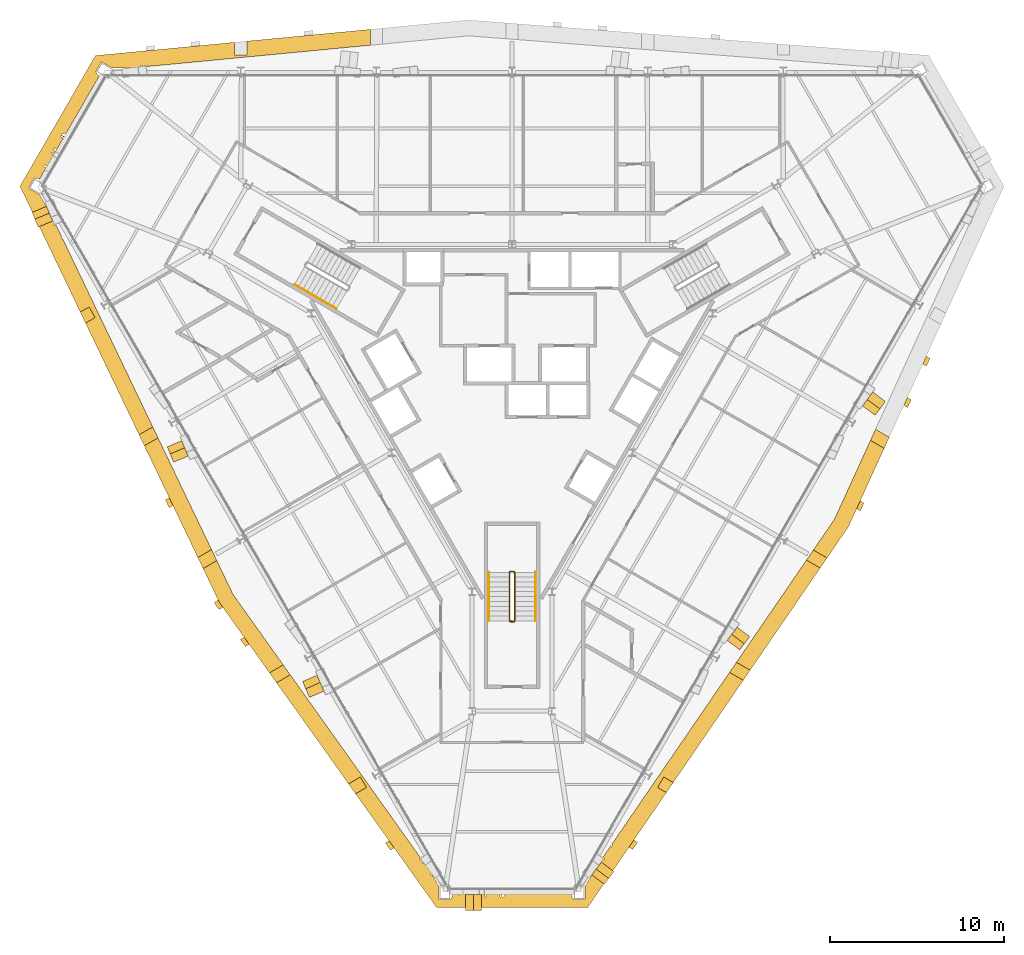
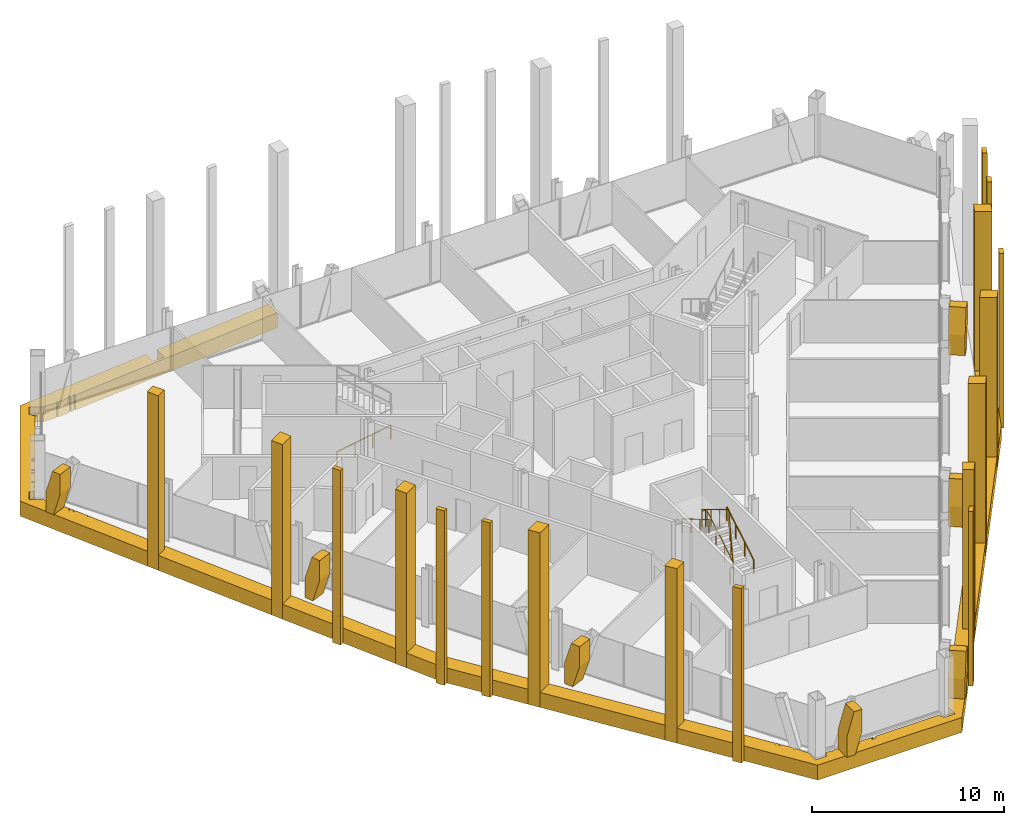
# One storey, part 16 of 17: 30 coverings, 4 railings.
"""IFC4 building model written with IfcOpenShell, lengths in metres."""

from ifc_helpers import new_model, si_unit, direction, frame, origin, origin_2d, place, context, subcontext, project, spatial, polyline, circle, outline, extrude, material, layer, layer_set, type_object, element, save


model = new_model("IFC4")

# Units and contexts
model_context = context("Model", 3, precision=1e-05, world=origin(), true_north=direction((0.0, 1.0)))
body_context = subcontext(model_context, "Body", "Model", "MODEL_VIEW")
ifc_project = project(units=[si_unit("LENGTHUNIT", "METRE"), si_unit("AREAUNIT", "SQUARE_METRE"), si_unit("VOLUMEUNIT", "CUBIC_METRE"), si_unit("PLANEANGLEUNIT", "RADIAN"), si_unit("MASSUNIT", "GRAM", prefix="KILO")], contexts=[model_context])

# Site, building, storey
site_placement = place(None, origin())
site = spatial("IfcSite", under=ifc_project, at=site_placement, CompositionType="ELEMENT")
building_placement = place(site_placement, origin())
building = spatial("IfcBuilding", under=site, at=building_placement, Name="Verrane Prism Tower", CompositionType="ELEMENT")
storey_placement = place(building_placement, frame((0.0, 0.0, 178.39990234375)))
storey = spatial("IfcBuildingStorey", under=building, at=storey_placement, Name="L44", CompositionType="ELEMENT", Elevation=178.39990234375)

# Railings
ifc_material_1 = material(Name="Steel A36 rail and posts, no infill", Category="steel")
railing_type_1 = type_object("IfcRailingType", Name="Stair guard 1100 steel rail and posts", PredefinedType="GUARDRAIL", material=ifc_material_1)
railing_1_placement = place(storey_placement, frame((0.14990234375, -13.699951171875, 0.168212890625)))
element("IfcRailing", 1, at=railing_1_placement, inside=storey, type_object=railing_type_1, Name="Stair 3 guard", PredefinedType="GUARDRAIL", context=body_context, shape_type="SweptSolid", body=[
    extrude(circle(Radius=0.02392578125, at=origin_2d()), frame((0.0, 0.0, 1.076171875), z_axis=(0.0, 0.857242210791, 0.514913383045), x_axis=(-1.0, 0.0, 0.0)), (0.0, 0.0, 1.0), 3.266357421875),
    extrude(circle(Radius=0.02392578125, at=origin_2d()), frame((0.0, 2.800048828125, 2.7578125), z_axis=(-0.707106781187, 0.707106781187, 0.0), x_axis=(-0.707106781187, -0.707106781187, 0.0)), (0.0, 0.0, 1.0), 0.0703125),
    extrude(circle(Radius=0.02392578125, at=origin_2d()), frame((-0.0498046875, 2.849853515625, 2.7578125), z_axis=(-1.0, 0.0, 0.0), x_axis=(0.0, -1.0, 0.0)), (0.0, 0.0, 1.0), 0.2001953125),
    extrude(circle(Radius=0.02392578125, at=origin_2d()), frame((-0.25, 2.849853515625, 2.7578125), z_axis=(-0.273106073848, -0.273106073848, 0.922402376869), x_axis=(0.707106781187, -0.707106781187, 0.0)), (0.0, 0.0, 1.0), 0.182373046875),
    extrude(circle(Radius=0.02392578125, at=origin_2d()), frame((-0.2998046875, 2.800048828125, 2.92626953125), z_axis=(0.0, -0.857242210791, 0.514913383045), x_axis=(1.0, 0.0, 0.0)), (0.0, 0.0, 1.0), 3.266357421875),
    extrude(circle(Radius=0.02392578125, at=origin_2d()), frame((-0.2998046875, 0.0, 4.60791015625), z_axis=(0.067404178178, -0.013494000514, -0.997634496554), x_axis=(0.196300278283, 0.98054382908, 0.0)), (0.0, 0.0, 1.0), 3.708984375),
    extrude(circle(Radius=0.02392578125, at=origin_2d()), frame((-0.0498046875, -0.050048828125, 0.90771484375), z_axis=(-1.0, 0.0, 0.0), x_axis=(0.0, -1.0, 0.0)), (0.0, 0.0, 1.0), 0.2001953125),
    extrude(circle(Radius=0.02099609375, at=origin_2d()), origin(), (0.0, 0.0, 1.0), 1.052001953125),
    extrude(circle(Radius=0.02099609375, at=origin_2d()), frame((0.0, 0.933349609375, 0.560546875)), (0.0, 0.0, 1.0), 1.052001953125),
    extrude(circle(Radius=0.02099609375, at=origin_2d()), frame((0.0, 1.86669921875, 1.121337890625)), (0.0, 0.0, 1.0), 1.052001953125),
    extrude(circle(Radius=0.02099609375, at=origin_2d()), frame((0.0, 2.800048828125, 1.681884765625)), (0.0, 0.0, 1.0), 1.052001953125),
    extrude(circle(Radius=0.02099609375, at=origin_2d()), frame((-0.0498046875, 2.849853515625, 1.681884765625)), (0.0, 0.0, 1.0), 1.052001953125),
    extrude(circle(Radius=0.02099609375, at=origin_2d()), frame((-0.25, 2.849853515625, 1.681884765625)), (0.0, 0.0, 1.0), 1.052001953125),
    extrude(circle(Radius=0.02099609375, at=origin_2d()), frame((-0.2998046875, 2.800048828125, 1.85009765625)), (0.0, 0.0, 1.0), 1.052001953125),
    extrude(circle(Radius=0.02099609375, at=origin_2d()), frame((-0.2998046875, 1.86669921875, 2.41064453125)), (0.0, 0.0, 1.0), 1.052001953125),
    extrude(circle(Radius=0.02099609375, at=origin_2d()), frame((-0.2998046875, 0.933349609375, 2.971435546875)), (0.0, 0.0, 1.0), 1.052001953125),
    extrude(circle(Radius=0.02099609375, at=origin_2d()), frame((-0.2998046875, 0.0, 3.531982421875)), (0.0, 0.0, 1.0), 1.052001953125),
    extrude(circle(Radius=0.02099609375, at=origin_2d()), frame((-0.2373046875, -0.012451171875, 2.60693359375)), (0.0, 0.0, 1.0), 1.052001953125),
    extrude(circle(Radius=0.02099609375, at=origin_2d()), frame((-0.1748046875, -0.02490234375, 1.681884765625)), (0.0, 0.0, 1.0), 1.052001953125),
    extrude(circle(Radius=0.02099609375, at=origin_2d()), frame((-0.1123046875, -0.03759765625, 0.7568359375)), (0.0, 0.0, 1.0), 1.052001953125),
    extrude(circle(Radius=0.02099609375, at=origin_2d()), frame((-0.0498046875, -0.050048828125, -0.168212890625)), (0.0, 0.0, 1.0), 1.052001953125),
    extrude(circle(Radius=0.02099609375, at=origin_2d()), frame((-0.25, -0.050048828125, -0.168212890625)), (0.0, 0.0, 1.0), 1.052001953125),
])
ifc_material_2 = material(Name="Steel A36 tube", Category="steel")
railing_type_2 = type_object("IfcRailingType", Name="Stair handrail 900 steel tube", PredefinedType="HANDRAIL", material=ifc_material_2)
railing_2_placement = place(storey_placement, frame((-12.53955078125, 5.680908203125, 0.168212890625)))
element("IfcRailing", 2, at=railing_2_placement, inside=storey, type_object=railing_type_2, Name="Stair 2 handrail", PredefinedType="HANDRAIL", context=body_context, shape_type="SweptSolid", body=[
    extrude(circle(Radius=0.02392578125, at=origin_2d()), frame((0.0, 0.0, 0.8759765625), z_axis=(0.742366697286, -0.42866220388, 0.514917859203), x_axis=(0.500049511043, 0.865996816683, 0.0)), (0.0, 0.0, 1.0), 3.266357421875),
    extrude(circle(Radius=0.02099609375, at=origin_2d()), origin(), (0.0, 0.0, 1.0), 0.851806640625),
    extrude(circle(Radius=0.02099609375, at=origin_2d()), frame((0.808349609375, -0.466796875, 0.560546875)), (0.0, 0.0, 1.0), 0.851806640625),
    extrude(circle(Radius=0.02099609375, at=origin_2d()), frame((1.616455078125, -0.933349609375, 1.121337890625)), (0.0, 0.0, 1.0), 0.851806640625),
    extrude(circle(Radius=0.02099609375, at=origin_2d()), frame((2.4248046875, -1.400146484375, 1.681884765625)), (0.0, 0.0, 1.0), 0.851806640625),
])
railing_3_placement = place(storey_placement, frame((1.35009765625, -13.699951171875, 0.168212890625)))
element("IfcRailing", 3, at=railing_3_placement, inside=storey, type_object=railing_type_2, Name="Stair 3 handrail", PredefinedType="HANDRAIL", context=body_context, shape_type="SweptSolid", body=[
    extrude(circle(Radius=0.02392578125, at=origin_2d()), frame((0.0, 0.0, 0.8759765625), z_axis=(0.0, 0.857242210791, 0.514913383045), x_axis=(-1.0, 0.0, 0.0)), (0.0, 0.0, 1.0), 3.266357421875),
    extrude(circle(Radius=0.02099609375, at=origin_2d()), origin(), (0.0, 0.0, 1.0), 0.851806640625),
    extrude(circle(Radius=0.02099609375, at=origin_2d()), frame((0.0, 0.933349609375, 0.560546875)), (0.0, 0.0, 1.0), 0.851806640625),
    extrude(circle(Radius=0.02099609375, at=origin_2d()), frame((0.0, 1.86669921875, 1.121337890625)), (0.0, 0.0, 1.0), 0.851806640625),
    extrude(circle(Radius=0.02099609375, at=origin_2d()), frame((0.0, 2.800048828125, 1.681884765625)), (0.0, 0.0, 1.0), 0.851806640625),
])
railing_4_placement = place(storey_placement, frame((-1.35009765625, -10.89990234375, 2.018310546875)))
element("IfcRailing", 4, at=railing_4_placement, inside=storey, type_object=railing_type_2, Name="Stair 3 handrail", PredefinedType="HANDRAIL", context=body_context, shape_type="SweptSolid", body=[
    extrude(circle(Radius=0.02392578125, at=origin_2d()), frame((0.0, 0.0, 0.8759765625), z_axis=(0.0, -0.857242210791, 0.514913383045), x_axis=(1.0, 0.0, 0.0)), (0.0, 0.0, 1.0), 3.266357421875),
    extrude(circle(Radius=0.02099609375, at=origin_2d()), origin(), (0.0, 0.0, 1.0), 0.851806640625),
    extrude(circle(Radius=0.02099609375, at=origin_2d()), frame((0.0, -0.933349609375, 0.560546875)), (0.0, 0.0, 1.0), 0.851806640625),
    extrude(circle(Radius=0.02099609375, at=origin_2d()), frame((0.0, -1.86669921875, 1.121337890625)), (0.0, 0.0, 1.0), 0.851806640625),
    extrude(circle(Radius=0.02099609375, at=origin_2d()), frame((0.0, -2.800048828125, 1.681884765625)), (0.0, 0.0, 1.0), 0.851806640625),
])

# Coverings
ifc_material_3 = material(Name="Warm limestone cladding", Category="masonry")
ifc_layer_1 = layer(ifc_material_3, 0.89990234375)
ifc_layer_set_1 = layer_set([ifc_layer_1], Name="Stone brace fin 900")
covering_type_1 = type_object("IfcCoveringType", Name="Stone brace fin 900", PredefinedType="CLADDING", material=ifc_layer_set_1)
covering_1_placement = place(storey_placement, frame((-27.24267578125, 10.009033203125, 0.0), z_axis=(0.0, 0.0, 1.0), x_axis=(0.387604084614, -0.921825945388, 0.0)))
element("IfcCovering", 5, at=covering_1_placement, inside=storey, type_object=covering_type_1, Name="Stone brace fin SW1 L44", PredefinedType="CLADDING", context=body_context, shape_type="SweptSolid", body=[
    extrude(outline(polyline([(0.916015625, 2.75), (0.42041015625, 2.75), (0.0, 1.283447265625), (0.0, 0.0), (0.491943359375, 0.0), (0.916015625, 1.4794921875), (0.916015625, 2.75)])), frame((0.0, 0.449951171875, 0.0), z_axis=(0.0, -1.0, 0.0), x_axis=(1.0, 0.0, 0.0)), (0.0, 0.0, 1.0), 0.89990234375),
])
covering_2_placement = place(storey_placement, frame((-19.45166015625, -3.497314453125, 0.0), z_axis=(0.0, 0.0, 1.0), x_axis=(0.390464588518, -0.920617947421, 0.0)))
element("IfcCovering", 6, at=covering_2_placement, inside=storey, type_object=covering_type_1, Name="Stone brace fin SW3 L44", PredefinedType="CLADDING", context=body_context, shape_type="SweptSolid", body=[
    extrude(outline(polyline([(0.955810546875, 2.75), (0.438720703125, 2.75), (0.0, 1.283447265625), (0.0, 0.0), (0.513427734375, 0.0), (0.955810546875, 1.4794921875), (0.955810546875, 2.75)])), frame((0.0, 0.449951171875, 0.0), z_axis=(0.0, -1.0, 0.0), x_axis=(1.0, 0.0, 0.0)), (0.0, 0.0, 1.0), 0.89990234375),
])
covering_3_placement = place(storey_placement, frame((-11.651611328125, -17.0126953125, 0.0), z_axis=(0.0, 0.0, 1.0), x_axis=(0.395697203833, -0.918381033601, 0.0)))
element("IfcCovering", 7, at=covering_3_placement, inside=storey, type_object=covering_type_1, Name="Stone brace fin SW5 L44", PredefinedType="CLADDING", context=body_context, shape_type="SweptSolid", body=[
    extrude(outline(polyline([(0.993896484375, 2.75), (0.4560546875, 2.75), (0.0, 1.283447265625), (0.0, 0.0), (0.53369140625, 0.0), (0.993896484375, 1.4794921875), (0.993896484375, 2.75)])), frame((0.0, 0.449951171875, 0.0), z_axis=(0.0, -1.0, 0.0), x_axis=(1.0, 0.0, 0.0)), (0.0, 0.0, 1.0), 0.89990234375),
])
covering_4_placement = place(storey_placement, frame((4.95703125, -28.602783203125, 0.0), z_axis=(0.0, 0.0, 1.0), x_axis=(0.605529171478, 0.79582311005, 0.0)))
element("IfcCovering", 8, at=covering_4_placement, inside=storey, type_object=covering_type_1, Name="Stone brace fin SE1 L44", PredefinedType="CLADDING", context=body_context, shape_type="SweptSolid", body=[
    extrude(outline(polyline([(0.915771484375, 2.75), (0.42041015625, 2.75), (0.0, 1.283447265625), (0.0, 0.0), (0.491943359375, 0.0), (0.915771484375, 1.4794921875), (0.915771484375, 2.75)])), frame((0.0, 0.449951171875, 0.0), z_axis=(0.0, -1.0, 0.0), x_axis=(1.0, 0.0, 0.0)), (0.0, 0.0, 1.0), 0.89990234375),
])
covering_5_placement = place(storey_placement, frame((12.7578125, -15.0966796875, 0.0), z_axis=(0.0, 0.0, 1.0), x_axis=(0.601635151469, 0.79877102133, 0.0)))
element("IfcCovering", 9, at=covering_5_placement, inside=storey, type_object=covering_type_1, Name="Stone brace fin SE3 L44", PredefinedType="CLADDING", context=body_context, shape_type="SweptSolid", body=[
    extrude(outline(polyline([(0.955078125, 2.75), (0.438232421875, 2.75), (0.0, 1.283447265625), (0.0, 0.0), (0.512939453125, 0.0), (0.955078125, 1.4794921875), (0.955078125, 2.75)])), frame((0.0, 0.449951171875, 0.0), z_axis=(0.0, -1.0, 0.0), x_axis=(1.0, 0.0, 0.0)), (0.0, 0.0, 1.0), 0.89990234375),
])
covering_6_placement = place(storey_placement, frame((20.557373046875, -1.58056640625, 0.0), z_axis=(0.0, 0.0, 1.0), x_axis=(0.596771726857, 0.802411058014, 0.0)))
element("IfcCovering", 10, at=covering_6_placement, inside=storey, type_object=covering_type_1, Name="Stone brace fin SE5 L44", PredefinedType="CLADDING", context=body_context, shape_type="SweptSolid", body=[
    extrude(outline(polyline([(0.99365234375, 2.75), (0.4560546875, 2.75), (0.0, 1.283447265625), (0.0, 0.0), (0.53369140625, 0.0), (0.99365234375, 1.4794921875), (0.99365234375, 2.75)])), frame((0.0, 0.449951171875, 0.0), z_axis=(0.0, -1.0, 0.0), x_axis=(1.0, 0.0, 0.0)), (0.0, 0.0, 1.0), 0.89990234375),
])
covering_7_placement = place(storey_placement, frame((-2.67578125, -29.92236328125, 0.0), z_axis=(0.0, 0.0, 1.0), x_axis=(1.0, 0.0, 0.0)))
element("IfcCovering", 11, at=covering_7_placement, inside=storey, type_object=covering_type_1, Name="Stone brace fin S1 L44", PredefinedType="CLADDING", context=body_context, shape_type="SweptSolid", body=[
    extrude(outline(polyline([(0.928955078125, 2.75), (0.446044921875, 2.75), (0.0, 1.257568359375), (0.0, 0.0), (0.520751953125, 0.0), (0.928955078125, 1.36572265625), (0.928955078125, 2.75)])), frame((0.0, 0.449951171875, 0.0), z_axis=(0.0, -1.0, 0.0), x_axis=(1.0, 0.0, 0.0)), (0.0, 0.0, 1.0), 0.89990234375),
])
ifc_material_4 = material(Name="Warm limestone cladding", Category="masonry")
covering_type_2 = type_object("IfcCoveringType", Name="Stone mullion pier 500", PredefinedType="CLADDING", material=ifc_material_4)
covering_8_placement = place(storey_placement, frame((0.0, 0.0, -0.949951171875)))
element("IfcCovering", 12, at=covering_8_placement, inside=storey, type_object=covering_type_2, Name="Stone pier SM-SW2.1 L44-L46", PredefinedType="CLADDING", context=body_context, shape_type="SweptSolid", body=[
    extrude(outline(polyline([(-19.53759765625, -7.055419921875), (-19.75439453125, -6.60302734375), (-19.971435546875, -6.728515625), (-19.7548828125, -7.180908203125), (-19.53759765625, -7.055419921875)])), origin(), (0.0, 0.0, 1.0), 11.10009765625),
])
covering_9_placement = place(storey_placement, frame((0.0, 0.0, -0.949951171875)))
element("IfcCovering", 13, at=covering_9_placement, inside=storey, type_object=covering_type_2, Name="Stone pier SM-SW3.1 L44-L46", PredefinedType="CLADDING", context=body_context, shape_type="SweptSolid", body=[
    extrude(outline(polyline([(-16.66357421875, -12.918212890625), (-16.864990234375, -12.63525390625), (-16.931884765625, -12.495849609375), (-17.14892578125, -12.62109375), (-17.081298828125, -12.7626953125), (-16.881103515625, -13.043701171875), (-16.66357421875, -12.918212890625)])), origin(), (0.0, 0.0, 1.0), 11.10009765625),
])
covering_10_placement = place(storey_placement, frame((0.0, 0.0, -0.949951171875)))
element("IfcCovering", 14, at=covering_10_placement, inside=storey, type_object=covering_type_2, Name="Stone pier SM-SW3.2 L44-L46", PredefinedType="CLADDING", context=body_context, shape_type="SweptSolid", body=[
    extrude(outline(polyline([(-15.14501953125, -15.050537109375), (-15.4365234375, -14.641357421875), (-15.654052734375, -14.76708984375), (-15.362548828125, -15.17626953125), (-15.14501953125, -15.050537109375)])), origin(), (0.0, 0.0, 1.0), 11.10009765625),
])
covering_11_placement = place(storey_placement, frame((0.0, 0.0, -0.949951171875)))
element("IfcCovering", 15, at=covering_11_placement, inside=storey, type_object=covering_type_2, Name="Stone pier SM-SW5.1 L44-L46", PredefinedType="CLADDING", context=body_context, shape_type="SweptSolid", body=[
    extrude(outline(polyline([(-6.794189453125, -26.7783203125), (-7.085693359375, -26.369140625), (-7.302978515625, -26.49462890625), (-7.01171875, -26.90380859375), (-6.794189453125, -26.7783203125)])), origin(), (0.0, 0.0, 1.0), 11.10009765625),
])
covering_12_placement = place(storey_placement, frame((0.0, 0.0, -0.949951171875)))
element("IfcCovering", 16, at=covering_12_placement, inside=storey, type_object=covering_type_2, Name="Stone pier SM-SE0.1 L44-L46", PredefinedType="CLADDING", context=body_context, shape_type="SweptSolid", body=[
    extrude(outline(polyline([(7.01806640625, -26.330078125), (6.73486328125, -26.743896484375), (6.951904296875, -26.869384765625), (7.2353515625, -26.45556640625), (7.01806640625, -26.330078125)])), origin(), (0.0, 0.0, 1.0), 11.10009765625),
])
covering_13_placement = place(storey_placement, frame((0.0, 0.0, -0.949951171875)))
element("IfcCovering", 17, at=covering_13_placement, inside=storey, type_object=covering_type_2, Name="Stone pier SM-SE3.1 L44-L46", PredefinedType="CLADDING", context=body_context, shape_type="SweptSolid", body=[
    extrude(outline(polyline([(20.06298828125, -6.781494140625), (19.8544921875, -7.23828125), (20.072021484375, -7.36376953125), (20.280517578125, -6.906982421875), (20.06298828125, -6.781494140625)])), origin(), (0.0, 0.0, 1.0), 11.10009765625),
])
covering_14_placement = place(storey_placement, frame((0.0, 0.0, -0.949951171875)))
element("IfcCovering", 18, at=covering_14_placement, inside=storey, type_object=covering_type_2, Name="Stone pier SM-SE4.1 L44-L46", PredefinedType="CLADDING", context=body_context, shape_type="SweptSolid", body=[
    extrude(outline(polyline([(22.78173828125, -0.82861328125), (22.572998046875, -1.285400390625), (22.79052734375, -1.4111328125), (22.999267578125, -0.9541015625), (22.78173828125, -0.82861328125)])), origin(), (0.0, 0.0, 1.0), 11.10009765625),
])
covering_15_placement = place(storey_placement, frame((0.0, 0.0, -0.949951171875)))
element("IfcCovering", 19, at=covering_15_placement, inside=storey, type_object=covering_type_2, Name="Stone pier SM-SE4.2 L44-L46", PredefinedType="CLADDING", context=body_context, shape_type="SweptSolid", body=[
    extrude(outline(polyline([(23.869140625, 1.552490234375), (23.660400390625, 1.095458984375), (23.8779296875, 0.969970703125), (24.086669921875, 1.4267578125), (23.869140625, 1.552490234375)])), origin(), (0.0, 0.0, 1.0), 11.10009765625),
])
ifc_material_5 = material(Name="Warm limestone cladding", Category="masonry")
covering_type_3 = type_object("IfcCoveringType", Name="Stone pier 700", PredefinedType="CLADDING", material=ifc_material_5)
covering_16_placement = place(storey_placement, frame((0.0, 0.0, -0.949951171875)))
element("IfcCovering", 20, at=covering_16_placement, inside=storey, type_object=covering_type_3, Name="Stone pier PC-SW1 L44-L46", PredefinedType="CLADDING", context=body_context, shape_type="SweptSolid", body=[
    extrude(outline(polyline([(-24.02099609375, 3.78076171875), (-24.196044921875, 4.083984375), (-24.37109375, 4.386962890625), (-24.878173828125, 4.09423828125), (-24.57470703125, 3.461181640625), (-24.02099609375, 3.78076171875)])), origin(), (0.0, 0.0, 1.0), 11.10009765625),
])
covering_17_placement = place(storey_placement, frame((0.0, 0.0, -0.949951171875)))
element("IfcCovering", 21, at=covering_17_placement, inside=storey, type_object=covering_type_3, Name="Stone pier PC-SW2 L44-L46", PredefinedType="CLADDING", context=body_context, shape_type="SweptSolid", body=[
    extrude(outline(polyline([(-21.187744140625, -3.610107421875), (-20.397705078125, -3.15380859375), (-20.700927734375, -2.520751953125), (-21.4912109375, -2.97705078125), (-21.187744140625, -3.610107421875)])), origin(), (0.0, 0.0, 1.0), 11.10009765625),
])
covering_18_placement = place(storey_placement, frame((0.0, 0.0, -0.949951171875)))
element("IfcCovering", 22, at=covering_18_placement, inside=storey, type_object=covering_type_3, Name="Stone pier PC-SW3 L44-L46", PredefinedType="CLADDING", context=body_context, shape_type="SweptSolid", body=[
    extrude(outline(polyline([(-17.80078125, -10.681396484375), (-17.010498046875, -10.22509765625), (-17.31396484375, -9.592041015625), (-18.10400390625, -10.04833984375), (-17.80078125, -10.681396484375)])), origin(), (0.0, 0.0, 1.0), 11.10009765625),
])
covering_19_placement = place(storey_placement, frame((0.0, 0.0, -0.949951171875)))
element("IfcCovering", 23, at=covering_19_placement, inside=storey, type_object=covering_type_3, Name="Stone pier PC-SW4 L44-L46", PredefinedType="CLADDING", context=body_context, shape_type="SweptSolid", body=[
    extrude(outline(polyline([(-13.568603515625, -17.2646484375), (-12.777099609375, -16.807861328125), (-13.184814453125, -16.235107421875), (-13.976318359375, -16.69189453125), (-13.568603515625, -17.2646484375)])), origin(), (0.0, 0.0, 1.0), 11.10009765625),
])
covering_20_placement = place(storey_placement, frame((0.0, 0.0, -0.949951171875)))
element("IfcCovering", 24, at=covering_20_placement, inside=storey, type_object=covering_type_3, Name="Stone pier PC-SW5 L44-L46", PredefinedType="CLADDING", context=body_context, shape_type="SweptSolid", body=[
    extrude(outline(polyline([(-8.3876953125, -23.30029296875), (-8.682861328125, -22.78857421875), (-8.737548828125, -22.694091796875), (-9.42138671875, -23.0888671875), (-9.013671875, -23.66162109375), (-8.3876953125, -23.30029296875)])), origin(), (0.0, 0.0, 1.0), 11.10009765625),
])
covering_21_placement = place(storey_placement, frame((0.0, 0.0, -0.949951171875)))
element("IfcCovering", 25, at=covering_21_placement, inside=storey, type_object=covering_type_3, Name="Stone pier PC-SE1 L44-L46", PredefinedType="CLADDING", context=body_context, shape_type="SweptSolid", body=[
    extrude(outline(polyline([(8.737548828125, -22.694091796875), (8.5439453125, -23.029296875), (8.3876953125, -23.30029296875), (8.893310546875, -23.59228515625), (9.2900390625, -23.012939453125), (8.737548828125, -22.694091796875)])), origin(), (0.0, 0.0, 1.0), 11.10009765625),
])
covering_22_placement = place(storey_placement, frame((0.0, 0.0, -0.949951171875)))
element("IfcCovering", 26, at=covering_22_placement, inside=storey, type_object=covering_type_3, Name="Stone pier PC-SE2 L44-L46", PredefinedType="CLADDING", context=body_context, shape_type="SweptSolid", body=[
    extrude(outline(polyline([(13.720458984375, -16.544189453125), (12.93017578125, -16.087890625), (12.533447265625, -16.6669921875), (13.32373046875, -17.123291015625), (13.720458984375, -16.544189453125)])), origin(), (0.0, 0.0, 1.0), 11.10009765625),
])
covering_23_placement = place(storey_placement, frame((0.0, 0.0, -0.949951171875)))
element("IfcCovering", 27, at=covering_23_placement, inside=storey, type_object=covering_type_3, Name="Stone pier PC-SE3 L44-L46", PredefinedType="CLADDING", context=body_context, shape_type="SweptSolid", body=[
    extrude(outline(polyline([(18.15087890625, -10.0751953125), (17.360595703125, -9.618896484375), (16.9638671875, -10.1982421875), (17.754150390625, -10.654541015625), (18.15087890625, -10.0751953125)])), origin(), (0.0, 0.0, 1.0), 11.10009765625),
])
covering_24_placement = place(storey_placement, frame((0.0, 0.0, -0.949951171875)))
element("IfcCovering", 28, at=covering_24_placement, inside=storey, type_object=covering_type_3, Name="Stone pier PC-SE4 L44-L46", PredefinedType="CLADDING", context=body_context, shape_type="SweptSolid", body=[
    extrude(outline(polyline([(21.736083984375, -3.118408203125), (20.944580078125, -2.661376953125), (20.65234375, -3.301025390625), (21.44384765625, -3.758056640625), (21.736083984375, -3.118408203125)])), origin(), (0.0, 0.0, 1.0), 11.10009765625),
])
ifc_material_6 = material(Name="Warm limestone cladding", Category="masonry")
ifc_layer_2 = layer(ifc_material_6, 0.449951171875)
ifc_layer_set_2 = layer_set([ifc_layer_2], Name="Stone spandrel band 450")
covering_type_4 = type_object("IfcCoveringType", Name="Stone spandrel band 450", PredefinedType="CLADDING", material=ifc_layer_set_2)
covering_25_placement = place(storey_placement, frame((0.0, 0.0, -0.949951171875)))
element("IfcCovering", 29, at=covering_25_placement, inside=storey, type_object=covering_type_4, Name="Stone spandrel band L44 part 1", PredefinedType="CLADDING", context=body_context, shape_type="SweptSolid", body=[
    extrude(outline(polyline([(4.3505859375, -30.22509765625), (8.893310546875, -23.59228515625), (8.3876953125, -23.30029296875), (8.737548828125, -22.694091796875), (9.2900390625, -23.012939453125), (13.32373046875, -17.123291015625), (12.533447265625, -16.6669921875), (5.751953125, -26.568603515625), (5.77001953125, -26.614501953125), (5.747802734375, -26.623046875), (5.767578125, -26.634521484375), (5.7177734375, -26.720703125), (5.667724609375, -26.691650390625), (5.2314453125, -27.32861328125), (5.332763671875, -27.38720703125), (5.284912109375, -27.469970703125), (5.177490234375, -27.40771484375), (5.08203125, -27.547119140625), (5.190185546875, -27.62939453125), (5.1328125, -27.70458984375), (5.028564453125, -27.625), (4.851806640625, -27.88330078125), (4.640869140625, -28.248291015625), (4.6904296875, -28.285888671875), (4.635498046875, -28.358154296875), (4.59521484375, -28.327392578125), (4.199951171875, -29.01220703125), (4.199951171875, -29.75), (3.5400390625, -29.75), (3.5400390625, -29.727783203125), (3.431884765625, -29.535888671875), (3.431884765625, -29.448486328125), (-0.388671875, -29.448486328125), (-0.526611328125, -29.64111328125), (-0.63427734375, -29.56396484375), (-0.5517578125, -29.448486328125), (-0.641357421875, -29.448486328125), (-0.641357421875, -29.6201171875), (-0.705810546875, -29.6201171875), (-0.705810546875, -29.448486328125), (-1.4677734375, -29.448486328125), (-1.4677734375, -29.6201171875), (-1.570068359375, -29.6201171875), (-1.570068359375, -29.448486328125), (-1.7470703125, -29.448486328125), (-1.7470703125, -29.6201171875), (-1.811279296875, -29.6201171875), (-1.811279296875, -29.448486328125), (-2.573486328125, -29.448486328125), (-2.573486328125, -29.6201171875), (-2.67578125, -29.6201171875), (-2.67578125, -29.448486328125), (-2.969482421875, -29.448486328125), (-3.047607421875, -29.51611328125), (-3.0888671875, -29.468505859375), (-3.06591796875, -29.448486328125), (-3.431884765625, -29.448486328125), (-3.431884765625, -29.535888671875), (-3.5400390625, -29.727783203125), (-3.5400390625, -29.75), (-4.199951171875, -29.75), (-4.199951171875, -29.01220703125), (-4.59521484375, -28.327392578125), (-4.635498046875, -28.358154296875), (-4.6904296875, -28.285888671875), (-4.640869140625, -28.248291015625), (-4.684814453125, -28.172119140625), (-5.058349609375, -27.647705078125), (-5.1328125, -27.70458984375), (-5.190185546875, -27.62939453125), (-5.113037109375, -27.57080078125), (-5.214111328125, -27.428955078125), (-5.284912109375, -27.469970703125), (-5.332763671875, -27.38720703125), (-5.269775390625, -27.350830078125), (-12.777099609375, -16.807861328125), (-13.568603515625, -17.2646484375), (-9.42138671875, -23.0888671875), (-8.737548828125, -22.694091796875), (-8.3876953125, -23.30029296875), (-9.013671875, -23.66162109375), (-4.340087890625, -30.22509765625), (4.3505859375, -30.22509765625)])), origin(), (0.0, 0.0, 1.0), 0.949951171875),
])
covering_26_placement = place(storey_placement, frame((0.0, 0.0, -0.949951171875)))
element("IfcCovering", 30, at=covering_26_placement, inside=storey, type_object=covering_type_4, Name="Stone spandrel band L44 part 3", PredefinedType="CLADDING", context=body_context, shape_type="SweptSolid", body=[
    extrude(outline(polyline([(-25.77978515625, 14.2451171875), (-25.91357421875, 14.2314453125), (-25.9267578125, 14.36328125), (-25.6982421875, 14.38671875), (-23.787109375, 17.69677734375), (-23.8603515625, 17.739013671875), (-23.968505859375, 17.92822265625), (-23.9873046875, 17.939208984375), (-23.657470703125, 18.5107421875), (-23.02099609375, 18.143310546875), (-22.22998046875, 18.143310546875), (-22.236083984375, 18.192138671875), (-22.145751953125, 18.20361328125), (-22.13818359375, 18.143310546875), (-22.055419921875, 18.143310546875), (-21.40771484375, 18.205078125), (-21.419189453125, 18.295654296875), (-21.3251953125, 18.3076171875), (-21.3134765625, 18.214111328125), (-21.1396484375, 18.230712890625), (-21.1396484375, 18.31005859375), (-21.044189453125, 18.31005859375), (-21.044189453125, 18.239990234375), (-8.16748046875, 19.468994140625), (-8.16748046875, 20.383056640625), (-15.284912109375, 19.70361328125), (-15.284912109375, 18.912109375), (-15.98486328125, 18.912109375), (-15.98486328125, 19.63671875), (-24.005615234375, 18.87109375), (-28.350830078125, 11.3447265625), (-24.878173828125, 4.09423828125), (-24.37109375, 4.386962890625), (-24.02099609375, 3.78076171875), (-24.57470703125, 3.461181640625), (-21.4912109375, -2.97705078125), (-20.700927734375, -2.520751953125), (-25.8876953125, 8.30810546875), (-25.926513671875, 8.314208984375), (-25.923095703125, 8.33544921875), (-25.942138671875, 8.324462890625), (-25.99169921875, 8.410400390625), (-25.948486328125, 8.435302734375), (-26.2822265625, 9.131591796875), (-26.376708984375, 9.0771484375), (-26.424560546875, 9.159912109375), (-26.323486328125, 9.21826171875), (-26.39697265625, 9.37109375), (-26.51513671875, 9.3212890625), (-26.5517578125, 9.408447265625), (-26.437744140625, 9.45654296875), (-26.573486328125, 9.739990234375), (-26.783447265625, 10.103759765625), (-26.835205078125, 10.08203125), (-26.8701171875, 10.165771484375), (-26.829345703125, 10.18310546875), (-27.22998046875, 10.876953125), (-27.857421875, 11.2392578125), (-27.52734375, 11.810791015625), (-27.50830078125, 11.7998046875), (-27.289306640625, 11.797119140625), (-27.21728515625, 11.75537109375), (-27.035888671875, 12.0693359375), (-27.05908203125, 12.0615234375), (-27.079345703125, 12.120849609375), (-26.98828125, 12.152099609375), (-26.8388671875, 12.41064453125), (-26.982666015625, 12.493896484375), (-26.931396484375, 12.58251953125), (-26.78759765625, 12.499267578125), (-26.406982421875, 13.158935546875), (-26.550537109375, 13.241943359375), (-26.518310546875, 13.2978515625), (-26.374755859375, 13.21484375), (-26.286376953125, 13.367919921875), (-26.429931640625, 13.450927734375), (-26.378662109375, 13.53955078125), (-26.235107421875, 13.45654296875), (-25.854248046875, 14.1162109375), (-25.99755859375, 14.19921875), (-25.96533203125, 14.2548828125), (-25.822021484375, 14.172119140625), (-25.77978515625, 14.2451171875)])), origin(), (0.0, 0.0, 1.0), 0.949951171875),
])
covering_27_placement = place(storey_placement, frame((0.0, 0.0, -0.949951171875)))
element("IfcCovering", 31, at=covering_27_placement, inside=storey, type_object=covering_type_4, Name="Stone spandrel band L44 part 4", PredefinedType="CLADDING", context=body_context, shape_type="SweptSolid", body=[
    extrude(outline(polyline([(-17.31396484375, -9.592041015625), (-20.397705078125, -3.15380859375), (-21.187744140625, -3.610107421875), (-18.10400390625, -10.04833984375), (-17.31396484375, -9.592041015625)])), origin(), (0.0, 0.0, 1.0), 0.949951171875),
])
covering_28_placement = place(storey_placement, frame((0.0, 0.0, -0.949951171875)))
element("IfcCovering", 32, at=covering_28_placement, inside=storey, type_object=covering_type_4, Name="Stone spandrel band L44 part 5", PredefinedType="CLADDING", context=body_context, shape_type="SweptSolid", body=[
    extrude(outline(polyline([(-13.184814453125, -16.235107421875), (-16.078369140625, -12.17138671875), (-17.010498046875, -10.22509765625), (-17.80078125, -10.681396484375), (-16.864990234375, -12.63525390625), (-13.976318359375, -16.69189453125), (-13.184814453125, -16.235107421875)])), origin(), (0.0, 0.0, 1.0), 0.949951171875),
])
covering_29_placement = place(storey_placement, frame((0.0, 0.0, -0.949951171875)))
element("IfcCovering", 33, at=covering_29_placement, inside=storey, type_object=covering_type_4, Name="Stone spandrel band L44 part 6", PredefinedType="CLADDING", context=body_context, shape_type="SweptSolid", body=[
    extrude(outline(polyline([(17.754150390625, -10.654541015625), (16.9638671875, -10.1982421875), (12.93017578125, -16.087890625), (13.720458984375, -16.544189453125), (17.754150390625, -10.654541015625)])), origin(), (0.0, 0.0, 1.0), 0.949951171875),
])
covering_30_placement = place(storey_placement, frame((0.0, 0.0, -0.949951171875)))
element("IfcCovering", 34, at=covering_30_placement, inside=storey, type_object=covering_type_4, Name="Stone spandrel band L44 part 7", PredefinedType="CLADDING", context=body_context, shape_type="SweptSolid", body=[
    extrude(outline(polyline([(20.65234375, -3.301025390625), (18.580078125, -7.838623046875), (17.360595703125, -9.618896484375), (18.15087890625, -10.0751953125), (19.375, -8.287841796875), (21.44384765625, -3.758056640625), (20.65234375, -3.301025390625)])), origin(), (0.0, 0.0, 1.0), 0.949951171875),
])

save(model, "model.ifc")
